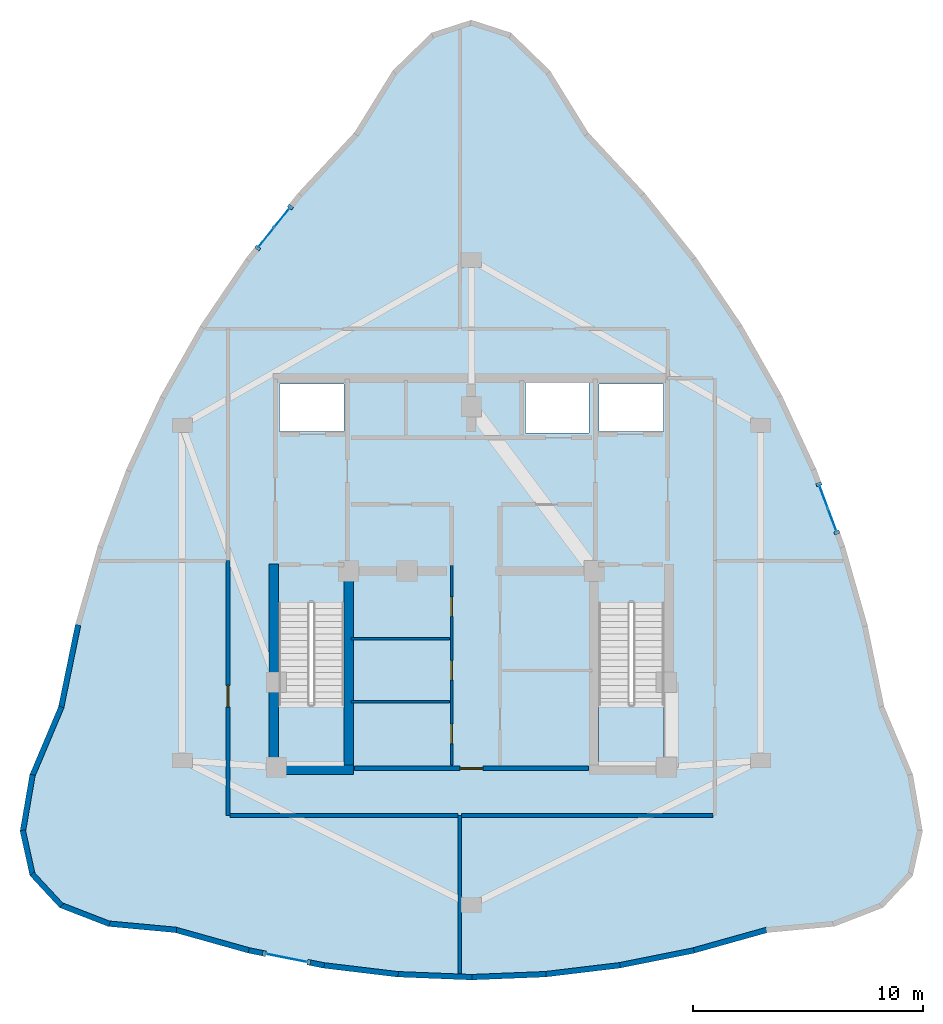
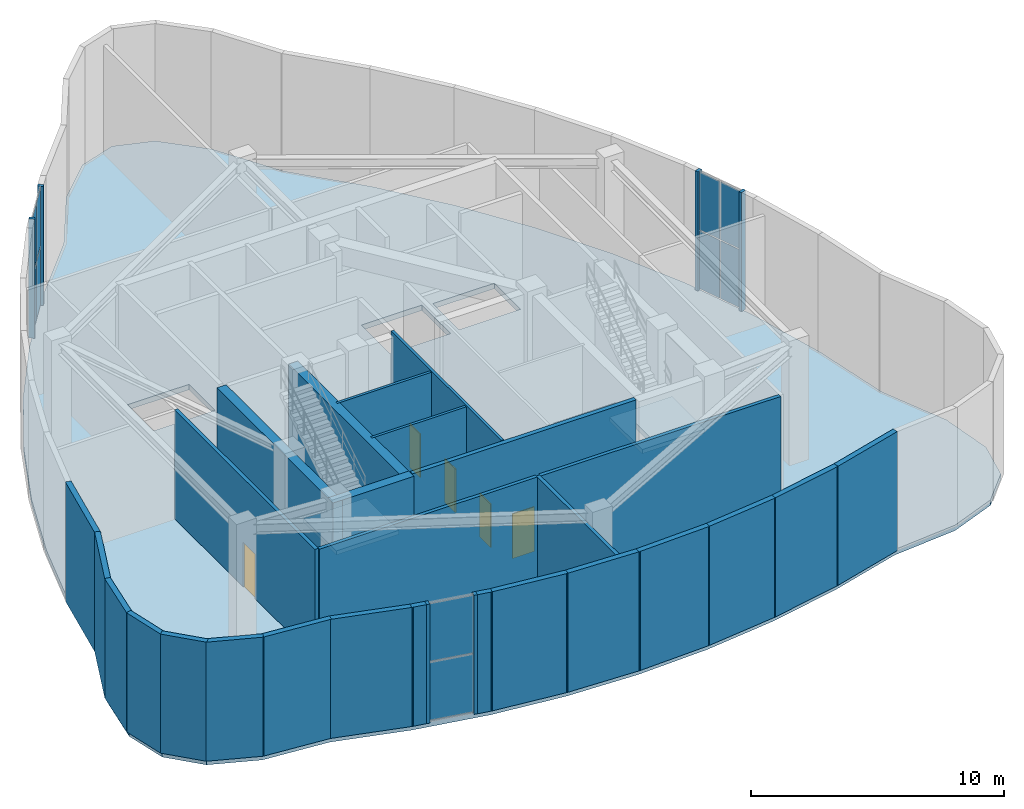
# One storey, part 8 of 11: 27 walls, 16 plates, 5 doors, 3 slabs, 5 openings, 5 elements without a shape of their own.
"""IFC4 building model written with IfcOpenShell, lengths in metres."""

from ifc_helpers import new_model, si_unit, direction, frame, frame_2d, origin, origin_2d, place, context, subcontext, project, spatial, polyline, rectangle, outline, extrude, material, layer, layer_set, type_object, element, fill, aggregate, save


model = new_model("IFC4")

# Units and contexts
model_context = context("Model", 3, precision=1e-05, world=origin(), true_north=direction((0.0, 1.0)))
body_context = subcontext(model_context, "Body", "Model", "MODEL_VIEW")
ifc_project = project(units=[si_unit("LENGTHUNIT", "METRE"), si_unit("AREAUNIT", "SQUARE_METRE"), si_unit("VOLUMEUNIT", "CUBIC_METRE"), si_unit("PLANEANGLEUNIT", "RADIAN"), si_unit("MASSUNIT", "GRAM", prefix="KILO")], contexts=[model_context])

# Site, building, storey
site_placement = place(None, origin())
site = spatial("IfcSite", under=ifc_project, at=site_placement, CompositionType="ELEMENT")
building_placement = place(site_placement, origin())
building = spatial("IfcBuilding", under=site, at=building_placement, Name="Miruveldt Soraemaru", CompositionType="ELEMENT")
storey_placement = place(building_placement, frame((0.0, 0.0, 300.800048828125)))
storey = spatial("IfcBuildingStorey", under=building, at=storey_placement, Name="L80", CompositionType="ELEMENT", Elevation=300.800048828125)

# Curtain wall, plates
ifc_material_1 = material(Name="Anodised aluminium EN AW-6063 T6", Category="aluminium")
ifc_layer_1 = layer(ifc_material_1, 0.14990234375, Name="Anodised aluminium EN AW-6063 T6", Category="aluminium")
ifc_layer_set_1 = layer_set([ifc_layer_1], Name="Anodised aluminium EN AW-6063 T6")
curtain_wall_type = type_object("IfcCurtainWallType", Name="CW-SYS-6", PredefinedType="USERDEFINED", material=ifc_layer_set_1)
curtain_wall_1_placement = place(storey_placement, origin())
curtain_wall_1 = element("IfcCurtainWall", 1, at=curtain_wall_1_placement, inside=storey, type_object=curtain_wall_type, Name="L80 Curtain Wall Bay 8", ObjectType="UNITISED GLAZING", PredefinedType="USERDEFINED")
ifc_material_2 = material(Name="Triple low-e insulated glazing", Category="glass")
ifc_layer_2 = layer(ifc_material_2, 0.02392578125, Name="Triple low-e insulated glazing", Category="glass")
ifc_layer_set_2 = layer_set([ifc_layer_2], Name="Triple low-e insulated glazing")
plate_type_1 = type_object("IfcPlateType", Name="CWP-6", PredefinedType="CURTAIN_PANEL", material=ifc_layer_set_2)
plate_1_placement = place(storey_placement, frame((35.75439453125, 59.447998046875, 0.054931640625), z_axis=(0.0, 0.0, 1.0), x_axis=(-0.623626616956, -0.781722356482, 0.0)))
plate_1 = element("IfcPlate", 2, at=plate_1_placement, type_object=plate_type_1, Name="CW-6 panel 1.1", PredefinedType="CURTAIN_PANEL", context=body_context, shape_type="SweptSolid", body=[
    extrude(rectangle(XDim=1.0595703125, YDim=0.02392578125, at=origin_2d()), origin(), (0.0, 0.0, 1.0), 2.78759765625),
])
plate_2_placement = place(storey_placement, frame((35.75439453125, 59.447998046875, 2.8974609375), z_axis=(0.0, 0.0, 1.0), x_axis=(-0.623626616956, -0.781722356482, 0.0)))
plate_2 = element("IfcPlate", 3, at=plate_2_placement, type_object=plate_type_1, Name="CW-6 panel 1.2", PredefinedType="CURTAIN_PANEL", context=body_context, shape_type="SweptSolid", body=[
    extrude(rectangle(XDim=1.0595703125, YDim=0.02392578125, at=origin_2d()), origin(), (0.0, 0.0, 1.0), 2.78759765625),
])
plate_3_placement = place(storey_placement, frame((35.059326171875, 58.576904296875, 0.054931640625), z_axis=(0.0, 0.0, 1.0), x_axis=(-0.623626616956, -0.781722356482, 0.0)))
plate_3 = element("IfcPlate", 4, at=plate_3_placement, type_object=plate_type_1, Name="CW-6 panel 2.1", PredefinedType="CURTAIN_PANEL", context=body_context, shape_type="SweptSolid", body=[
    extrude(rectangle(XDim=1.0595703125, YDim=0.02392578125, at=origin_2d()), origin(), (0.0, 0.0, 1.0), 2.78759765625),
])
plate_4_placement = place(storey_placement, frame((35.059326171875, 58.576904296875, 2.8974609375), z_axis=(0.0, 0.0, 1.0), x_axis=(-0.623626616956, -0.781722356482, 0.0)))
plate_4 = element("IfcPlate", 5, at=plate_4_placement, type_object=plate_type_1, Name="CW-6 panel 2.2", PredefinedType="CURTAIN_PANEL", context=body_context, shape_type="SweptSolid", body=[
    extrude(rectangle(XDim=1.0595703125, YDim=0.02392578125, at=origin_2d()), origin(), (0.0, 0.0, 1.0), 2.78759765625),
])
aggregate(curtain_wall_1, [plate_1, plate_2, plate_3, plate_4])

curtain_wall_2_placement = place(storey_placement, origin())
curtain_wall_2 = element("IfcCurtainWall", 6, at=curtain_wall_2_placement, inside=storey, type_object=curtain_wall_type, Name="L80 Curtain Wall Bay 22", ObjectType="UNITISED GLAZING", PredefinedType="USERDEFINED")
plate_5_placement = place(storey_placement, frame((35.949462890625, 27.1923828125, 0.054931640625), z_axis=(0.0, 0.0, 1.0), x_axis=(0.98059036738, -0.196067670467, 0.0)))
plate_5 = element("IfcPlate", 7, at=plate_5_placement, type_object=plate_type_1, Name="CW-6 panel 1.1", PredefinedType="CURTAIN_PANEL", context=body_context, shape_type="SweptSolid", body=[
    extrude(rectangle(XDim=1.8740234375, YDim=0.02392578125, at=origin_2d()), origin(), (0.0, 0.0, 1.0), 2.78759765625),
])
plate_6_placement = place(storey_placement, frame((35.949462890625, 27.1923828125, 2.8974609375), z_axis=(0.0, 0.0, 1.0), x_axis=(0.98059036738, -0.196067670467, 0.0)))
plate_6 = element("IfcPlate", 8, at=plate_6_placement, type_object=plate_type_1, Name="CW-6 panel 1.2", PredefinedType="CURTAIN_PANEL", context=body_context, shape_type="SweptSolid", body=[
    extrude(rectangle(XDim=1.8740234375, YDim=0.02392578125, at=origin_2d()), origin(), (0.0, 0.0, 1.0), 2.78759765625),
])
aggregate(curtain_wall_2, [plate_5, plate_6])

curtain_wall_3_placement = place(storey_placement, origin())
curtain_wall_3 = element("IfcCurtainWall", 9, at=curtain_wall_3_placement, inside=storey, type_object=curtain_wall_type, Name="L80 Curtain Wall Bay 37", ObjectType="UNITISED GLAZING", PredefinedType="USERDEFINED")
plate_7_placement = place(storey_placement, frame((59.72412109375, 46.264404296875, 0.054931640625), z_axis=(0.0, 0.0, 1.0), x_axis=(-0.348998282518, 0.937123363704, 0.0)))
plate_7 = element("IfcPlate", 10, at=plate_7_placement, type_object=plate_type_1, Name="CW-6 panel 1.1", PredefinedType="CURTAIN_PANEL", context=body_context, shape_type="SweptSolid", body=[
    extrude(rectangle(XDim=1.037109375, YDim=0.02392578125, at=origin_2d()), origin(), (0.0, 0.0, 1.0), 2.78759765625),
])
plate_8_placement = place(storey_placement, frame((59.72412109375, 46.264404296875, 2.8974609375), z_axis=(0.0, 0.0, 1.0), x_axis=(-0.348998282518, 0.937123363704, 0.0)))
plate_8 = element("IfcPlate", 11, at=plate_8_placement, type_object=plate_type_1, Name="CW-6 panel 1.2", PredefinedType="CURTAIN_PANEL", context=body_context, shape_type="SweptSolid", body=[
    extrude(rectangle(XDim=1.037109375, YDim=0.02392578125, at=origin_2d()), origin(), (0.0, 0.0, 1.0), 2.78759765625),
])
plate_9_placement = place(storey_placement, frame((59.343017578125, 47.287841796875, 0.054931640625), z_axis=(0.0, 0.0, 1.0), x_axis=(-0.348998282518, 0.937123363704, 0.0)))
plate_9 = element("IfcPlate", 12, at=plate_9_placement, type_object=plate_type_1, Name="CW-6 panel 2.1", PredefinedType="CURTAIN_PANEL", context=body_context, shape_type="SweptSolid", body=[
    extrude(rectangle(XDim=1.037109375, YDim=0.02392578125, at=origin_2d()), origin(), (0.0, 0.0, 1.0), 2.78759765625),
])
plate_10_placement = place(storey_placement, frame((59.343017578125, 47.287841796875, 2.8974609375), z_axis=(0.0, 0.0, 1.0), x_axis=(-0.348998282518, 0.937123363704, 0.0)))
plate_10 = element("IfcPlate", 13, at=plate_10_placement, type_object=plate_type_1, Name="CW-6 panel 2.2", PredefinedType="CURTAIN_PANEL", context=body_context, shape_type="SweptSolid", body=[
    extrude(rectangle(XDim=1.037109375, YDim=0.02392578125, at=origin_2d()), origin(), (0.0, 0.0, 1.0), 2.78759765625),
])
aggregate(curtain_wall_3, [plate_7, plate_8, plate_9, plate_10])

# Plates
ifc_layer_3 = layer(ifc_material_1, 0.030029296875, Name="Anodised aluminium EN AW-6063 T6", Category="aluminium")
ifc_layer_set_3 = layer_set([ifc_layer_3], Name="Anodised aluminium EN AW-6063 T6")
plate_type_2 = type_object("IfcPlateType", Name="PLT-JAMB-30", PredefinedType="SHEET", material=ifc_layer_set_3)
for number, where, z_axis, x_axis, name in (
    (14, (36.118896484375, 59.9052734375, 0.0), (0.0, 0.0, 1.0), (-0.623606756598, -0.781738199863, 0.0), "L80 Curtain Wall Jamb Closure Trim 8JL"),
    (15, (34.694580078125, 58.11962890625, 0.0), (0.0, 0.0, 1.0), (-0.623606756598, -0.781738199863, 0.0), "L80 Curtain Wall Jamb Closure Trim 8JR"),
    (16, (34.9765625, 27.38671875, 0.0), (0.0, 0.0, 1.0), (0.980583867301, -0.196100176415, 0.0), "L80 Curtain Wall Jamb Closure Trim 22JL"),
    (17, (36.922119140625, 26.997802734375, 0.0), (0.0, 0.0, 1.0), (0.980583867301, -0.196100176415, 0.0), "L80 Curtain Wall Jamb Closure Trim 22JR"),
    (18, (59.92431640625, 45.72705078125, 0.0), (0.0, 0.0, 1.0), (-0.349030048069, 0.93711153314, 0.0), "L80 Curtain Wall Jamb Closure Trim 37JL"),
    (19, (59.142822265625, 47.8251953125, 0.0), (0.0, 0.0, 1.0), (-0.349030048069, 0.93711153314, 0.0), "L80 Curtain Wall Jamb Closure Trim 37JR"),
):
    element("IfcPlate", number, at=place(storey_placement, frame(where, z_axis=z_axis, x_axis=x_axis)), inside=storey, type_object=plate_type_2, Name=name, PredefinedType="SHEET", context=body_context, shape_type="SweptSolid", body=[
        extrude(rectangle(XDim=0.139892578125, YDim=0.239990234375, at=origin_2d()), origin(), (0.0, 0.0, 1.0), 5.739990234375),
    ])

# Slab
ifc_material_3 = material(Name="Concrete C40/50 (40 MPa)", Category="concrete")
ifc_layer_4 = layer(ifc_material_3, 0.260009765625, Name="Concrete C40/50 (40 MPa)", Category="concrete")
ifc_layer_set_4 = layer_set([ifc_layer_4], Name="Concrete C40/50 (40 MPa)")
slab_type_1 = type_object("IfcSlabType", Name="SLAB-CRWN-260", PredefinedType="FLOOR", material=ifc_layer_set_4)
slab_1_placement = place(storey_placement, frame((0.0, 0.0, -0.260009765625)))
element("IfcSlab", 20, at=slab_1_placement, inside=storey, type_object=slab_type_1, Name="L80 Structural Floor Slab", PredefinedType="FLOOR", context=body_context, shape_type="SweptSolid", body=[
    extrude(outline(polyline([(51.4755859375, 60.413330078125), (53.71044921875, 57.61181640625), (55.695556640625, 54.681640625), (57.4306640625, 51.62255859375), (58.915771484375, 48.4345703125), (60.151123046875, 45.117919921875), (61.136474609375, 41.67236328125), (61.8720703125, 38.097900390625), (63.119873046875, 35.1396484375), (63.53564453125, 32.718994140625), (63.119873046875, 30.83642578125), (61.8720703125, 29.49169921875), (59.79248046875, 28.684814453125), (56.881103515625, 28.416015625), (53.660888671875, 27.514404296875), (50.4404296875, 26.870361328125), (47.22021484375, 26.48388671875), (44.0, 26.35498046875), (40.77978515625, 26.48388671875), (37.5595703125, 26.870361328125), (34.339111328125, 27.514404296875), (31.118896484375, 28.416015625), (28.20751953125, 28.684814453125), (26.1279296875, 29.49169921875), (24.880126953125, 30.83642578125), (24.46435546875, 32.718994140625), (24.880126953125, 35.1396484375), (26.1279296875, 38.097900390625), (26.863525390625, 41.67236328125), (27.848876953125, 45.117919921875), (29.084228515625, 48.4345703125), (30.5693359375, 51.62255859375), (32.304443359375, 54.681640625), (34.28955078125, 57.61181640625), (36.5244140625, 60.413330078125), (39.009033203125, 63.0859375), (40.672607421875, 65.775390625), (42.336181640625, 67.38916015625), (44.0, 67.927001953125), (45.663818359375, 67.38916015625), (47.327392578125, 65.775390625), (48.990966796875, 63.0859375), (51.4755859375, 60.413330078125)]), holes=[polyline([(38.43505859375, 35.6650390625), (38.43505859375, 42.68505859375), (35.614990234375, 42.68505859375), (35.614990234375, 35.6650390625), (38.43505859375, 35.6650390625)]), polyline([(52.385009765625, 35.6650390625), (52.385009765625, 42.68505859375), (49.56494140625, 42.68505859375), (49.56494140625, 35.6650390625), (52.385009765625, 35.6650390625)]), polyline([(38.445068359375, 52.205078125), (35.635009765625, 52.205078125), (35.635009765625, 50.135009765625), (38.445068359375, 50.135009765625), (38.445068359375, 52.205078125)]), polyline([(52.364990234375, 50.135009765625), (52.364990234375, 52.205078125), (49.554931640625, 52.205078125), (49.554931640625, 50.135009765625), (52.364990234375, 50.135009765625)]), polyline([(49.135009765625, 50.06494140625), (49.135009765625, 52.3349609375), (46.364990234375, 52.3349609375), (46.364990234375, 50.06494140625), (49.135009765625, 50.06494140625)])]), origin(), (0.0, 0.0, 1.0), 0.260009765625),
])

# Stair, slab
stair_type = type_object("IfcStairType", Name="STAIR-DL-600", PredefinedType="HALF_TURN_STAIR", material=ifc_material_3)
stair_1_placement = place(storey_placement, origin())
stair_1 = element("IfcStair", 21, at=stair_1_placement, inside=storey, type_object=stair_type, Name="L80 Protected Exit Stair ST-1", PredefinedType="HALF_TURN_STAIR")
ifc_layer_5 = layer(ifc_material_3, 0.199951171875, Name="Concrete C40/50 (40 MPa)", Category="concrete")
ifc_layer_set_5 = layer_set([ifc_layer_5], Name="Concrete C40/50 (40 MPa)")
slab_type_2 = type_object("IfcSlabType", Name="SLAB-LAND-200", PredefinedType="LANDING", material=ifc_layer_set_5)
slab_2_placement = place(storey_placement, frame((0.0, 0.0, 2.800048828125)))
slab_2 = element("IfcSlab", 22, at=slab_2_placement, type_object=slab_type_2, Name="ST-1 landing 1", PredefinedType="LANDING", context=body_context, shape_type="SweptSolid", body=[
    extrude(outline(polyline([(35.60009765625, 38.238037109375), (35.60009765625, 35.64990234375), (38.449951171875, 35.64990234375), (38.449951171875, 38.238037109375), (35.60009765625, 38.238037109375)])), origin(), (0.0, 0.0, 1.0), 0.199951171875),
])
aggregate(stair_1, [slab_2])

stair_2_placement = place(storey_placement, origin())
stair_2 = element("IfcStair", 23, at=stair_2_placement, inside=storey, type_object=stair_type, Name="L80 Protected Exit Stair ST-2", PredefinedType="HALF_TURN_STAIR")
slab_3_placement = place(storey_placement, frame((0.0, 0.0, 2.800048828125)))
slab_3 = element("IfcSlab", 24, at=slab_3_placement, type_object=slab_type_2, Name="ST-2 landing 1", PredefinedType="LANDING", context=body_context, shape_type="SweptSolid", body=[
    extrude(outline(polyline([(49.550048828125, 38.238037109375), (49.550048828125, 35.64990234375), (52.39990234375, 35.64990234375), (52.39990234375, 38.238037109375), (49.550048828125, 38.238037109375)])), origin(), (0.0, 0.0, 1.0), 0.199951171875),
])
aggregate(stair_2, [slab_3])

# Walls
ifc_material_4 = material(Name="Concrete C50/60 (50 MPa)", Category="concrete")
ifc_layer_6 = layer(ifc_material_4, 0.419921875, Name="Concrete C50/60 (50 MPa)", Category="concrete")
ifc_layer_set_6 = layer_set([ifc_layer_6], Name="Concrete C50/60 (50 MPa)")
wall_type_1 = type_object("IfcWallType", Name="WALL-CW-420", PredefinedType="SHEAR", material=ifc_layer_set_6)
wall_1_placement = place(storey_placement, frame((35.179931640625, 35.389892578125, 0.0), z_axis=(0.0, 0.0, 1.0), x_axis=(1.0, 0.0, 0.0)))
element("IfcWall", 25, at=wall_1_placement, inside=storey, type_object=wall_type_1, Name="L80 Central Core Shear Wall S1", PredefinedType="SHEAR", context=body_context, shape_type="SweptSolid", body=[
    extrude(rectangle(XDim=3.690185546875, YDim=0.419921875, at=frame_2d((1.84521484375, 0.0))), origin(), (0.0, 0.0, 1.0), 5.739990234375),
])
wall_2_placement = place(storey_placement, frame((35.389892578125, 35.179931640625, 0.0), z_axis=(0.0, 0.0, 1.0), x_axis=(0.0, 1.0, 0.0)))
element("IfcWall", 26, at=wall_2_placement, inside=storey, type_object=wall_type_1, Name="L80 Central Core Shear Wall W1", PredefinedType="SHEAR", context=body_context, shape_type="SweptSolid", body=[
    extrude(rectangle(XDim=9.170166015625, YDim=0.419921875, at=frame_2d((4.5849609375, 0.0))), origin(), (0.0, 0.0, 1.0), 5.739990234375),
])
wall_3_placement = place(storey_placement, frame((38.659912109375, 35.39990234375, 0.0), z_axis=(0.0, 0.0, 1.0), x_axis=(0.0, 1.0, 0.0)))
element("IfcWall", 27, at=wall_3_placement, inside=storey, type_object=wall_type_1, Name="L80 Central Core Shear Wall SW-INT", PredefinedType="SHEAR", context=body_context, shape_type="SweptSolid", body=[
    extrude(rectangle(XDim=8.9501953125, YDim=0.419921875, at=frame_2d((4.47509765625, 0.0))), origin(), (0.0, 0.0, 1.0), 5.739990234375),
])
ifc_material_5 = material(Name="Precast concrete C45/55 (45 MPa)", Category="concrete")
ifc_layer_7 = layer(ifc_material_5, 0.239990234375, Name="Precast concrete C45/55 (45 MPa)", Category="concrete")
ifc_layer_set_7 = layer_set([ifc_layer_7], Name="Precast concrete C45/55 (45 MPa)")
wall_type_2 = type_object("IfcWallType", Name="WALL-EXT-PC240", PredefinedType="SOLIDWALL", material=ifc_layer_set_7)
wall_4_placement = place(storey_placement, frame((26.87060546875, 41.706787109375, 0.0), z_axis=(0.0, 0.0, 1.0), x_axis=(-0.201578837363, -0.979472292782, 0.0)))
element("IfcWall", 28, at=wall_4_placement, inside=storey, type_object=wall_type_2, Name="L80 Precast Concrete Facade Wall 14", PredefinedType="SOLIDWALL", context=body_context, shape_type="SweptSolid", body=[
    extrude(rectangle(XDim=3.719482421875, YDim=0.239990234375, at=frame_2d((1.85986328125, 0.0))), origin(), (0.0, 0.0, 1.0), 5.739990234375),
])
wall_5_placement = place(storey_placement, frame((26.1416015625, 38.130126953125, 0.0), z_axis=(0.0, 0.0, 1.0), x_axis=(-0.388622520849, -0.921397056805, 0.0)))
element("IfcWall", 29, at=wall_5_placement, inside=storey, type_object=wall_type_2, Name="L80 Precast Concrete Facade Wall 15", PredefinedType="SOLIDWALL", context=body_context, shape_type="SweptSolid", body=[
    extrude(rectangle(XDim=3.280517578125, YDim=0.239990234375, at=frame_2d((1.64013671875, 0.0))), origin(), (0.0, 0.0, 1.0), 5.739990234375),
])
wall_6_placement = place(storey_placement, frame((24.885986328125, 35.174072265625, 0.0), z_axis=(0.0, 0.0, 1.0), x_axis=(-0.169240125324, -0.985574847477, 0.0)))
element("IfcWall", 30, at=wall_6_placement, inside=storey, type_object=wall_type_2, Name="L80 Precast Concrete Facade Wall 16", PredefinedType="SOLIDWALL", context=body_context, shape_type="SweptSolid", body=[
    extrude(rectangle(XDim=2.52587890625, YDim=0.239990234375, at=frame_2d((1.262939453125, 0.0))), origin(), (0.0, 0.0, 1.0), 5.739990234375),
])
wall_7_placement = place(storey_placement, frame((24.456787109375, 32.75341796875, 0.0), z_axis=(0.0, 0.0, 1.0), x_axis=(0.215649526387, -0.976470829963, 0.0)))
element("IfcWall", 31, at=wall_7_placement, inside=storey, type_object=wall_type_2, Name="L80 Precast Concrete Facade Wall 17", PredefinedType="SOLIDWALL", context=body_context, shape_type="SweptSolid", body=[
    extrude(rectangle(XDim=1.998291015625, YDim=0.239990234375, at=frame_2d((0.9990234375, 0.0))), origin(), (0.0, 0.0, 1.0), 5.739990234375),
])
wall_8_placement = place(storey_placement, frame((24.8564453125, 30.8623046875, 0.0), z_axis=(0.0, 0.0, 1.0), x_axis=(0.680072395428, -0.733144963139, 0.0)))
element("IfcWall", 32, at=wall_8_placement, inside=storey, type_object=wall_type_2, Name="L80 Precast Concrete Facade Wall 18", PredefinedType="SOLIDWALL", context=body_context, shape_type="SweptSolid", body=[
    extrude(rectangle(XDim=1.904541015625, YDim=0.239990234375, at=frame_2d((0.9521484375, 0.0))), origin(), (0.0, 0.0, 1.0), 5.739990234375),
])
wall_9_placement = place(storey_placement, frame((26.09521484375, 29.50439453125, 0.0), z_axis=(0.0, 0.0, 1.0), x_axis=(0.932269297358, -0.361765058019, 0.0)))
element("IfcWall", 33, at=wall_9_placement, inside=storey, type_object=wall_type_2, Name="L80 Precast Concrete Facade Wall 19", PredefinedType="SOLIDWALL", context=body_context, shape_type="SweptSolid", body=[
    extrude(rectangle(XDim=2.300537109375, YDim=0.239990234375, at=frame_2d((1.150390625, 0.0))), origin(), (0.0, 0.0, 1.0), 5.739990234375),
])
wall_10_placement = place(storey_placement, frame((28.172607421875, 28.68798828125, 0.0), z_axis=(0.0, 0.0, 1.0), x_axis=(0.995767942029, -0.091903240575, 0.0)))
element("IfcWall", 34, at=wall_10_placement, inside=storey, type_object=wall_type_2, Name="L80 Precast Concrete Facade Wall 20", PredefinedType="SOLIDWALL", context=body_context, shape_type="SweptSolid", body=[
    extrude(rectangle(XDim=2.993896484375, YDim=0.239990234375, at=frame_2d((1.4970703125, 0.0))), origin(), (0.0, 0.0, 1.0), 5.739990234375),
])
wall_11_placement = place(storey_placement, frame((31.085205078125, 28.42529296875, 0.0), z_axis=(0.0, 0.0, 1.0), x_axis=(0.962972931592, -0.269598095359, 0.0)))
element("IfcWall", 35, at=wall_11_placement, inside=storey, type_object=wall_type_2, Name="L80 Precast Concrete Facade Wall 21", PredefinedType="SOLIDWALL", context=body_context, shape_type="SweptSolid", body=[
    extrude(rectangle(XDim=3.4140625, YDim=0.239990234375, at=frame_2d((1.70703125, 0.0))), origin(), (0.0, 0.0, 1.0), 5.739990234375),
])
wall_12_placement = place(storey_placement, frame((34.304931640625, 27.521240234375, 0.0), z_axis=(0.0, 0.0, 1.0), x_axis=(0.98052735431, -0.19638255383, 0.0)))
element("IfcWall", 36, at=wall_12_placement, inside=storey, type_object=wall_type_2, Name="L80 Precast Pier Left 22", PredefinedType="SOLIDWALL", context=body_context, shape_type="SweptSolid", body=[
    extrude(rectangle(XDim=0.704833984375, YDim=0.239990234375, at=frame_2d((0.3525390625, 0.0))), origin(), (0.0, 0.0, 1.0), 5.739990234375),
])
wall_13_placement = place(storey_placement, frame((36.90234375, 27.001708984375, 0.0), z_axis=(0.0, 0.0, 1.0), x_axis=(0.980540705023, -0.196315882679, 0.0)))
element("IfcWall", 37, at=wall_13_placement, inside=storey, type_object=wall_type_2, Name="L80 Precast Pier Right 22", PredefinedType="SOLIDWALL", context=body_context, shape_type="SweptSolid", body=[
    extrude(rectangle(XDim=0.705078125, YDim=0.239990234375, at=frame_2d((0.3525390625, 0.0))), origin(), (0.0, 0.0, 1.0), 5.739990234375),
])
wall_14_placement = place(storey_placement, frame((37.524658203125, 26.87451171875, 0.0), z_axis=(0.0, 0.0, 1.0), x_axis=(0.992868119477, -0.119217856572, 0.0)))
element("IfcWall", 38, at=wall_14_placement, inside=storey, type_object=wall_type_2, Name="L80 Precast Concrete Facade Wall 23", PredefinedType="SOLIDWALL", context=body_context, shape_type="SweptSolid", body=[
    extrude(rectangle(XDim=3.3134765625, YDim=0.239990234375, at=frame_2d((1.65673828125, 0.0))), origin(), (0.0, 0.0, 1.0), 5.739990234375),
])
for number, where, z_axis, x_axis, name in (
    (39, (40.74462890625, 26.485107421875, 0.0), (0.0, 0.0, 1.0), (0.999201195577, -0.039962116526, 0.0), "L80 Precast Concrete Facade Wall 24"),
    (40, (43.965087890625, 26.353515625, 0.0), (0.0, 0.0, 1.0), (0.999201195577, 0.039962116526, 0.0), "L80 Precast Concrete Facade Wall 25"),
):
    element("IfcWall", number, at=place(storey_placement, frame(where, z_axis=z_axis, x_axis=x_axis)), inside=storey, type_object=wall_type_2, Name=name, PredefinedType="SOLIDWALL", context=body_context, shape_type="SweptSolid", body=[
        extrude(rectangle(XDim=3.29296875, YDim=0.239990234375, at=frame_2d((1.646484375, 0.0))), origin(), (0.0, 0.0, 1.0), 5.739990234375),
    ])
wall_15_placement = place(storey_placement, frame((47.185546875, 26.4794921875, 0.0), z_axis=(0.0, 0.0, 1.0), x_axis=(0.992868119477, 0.119217856572, 0.0)))
element("IfcWall", 41, at=wall_15_placement, inside=storey, type_object=wall_type_2, Name="L80 Precast Concrete Facade Wall 26", PredefinedType="SOLIDWALL", context=body_context, shape_type="SweptSolid", body=[
    extrude(rectangle(XDim=3.3134765625, YDim=0.239990234375, at=frame_2d((1.65673828125, 0.0))), origin(), (0.0, 0.0, 1.0), 5.739990234375),
])
wall_16_placement = place(storey_placement, frame((50.40625, 26.86328125, 0.0), z_axis=(0.0, 0.0, 1.0), x_axis=(0.980569475455, 0.196172128005, 0.0)))
element("IfcWall", 42, at=wall_16_placement, inside=storey, type_object=wall_type_2, Name="L80 Precast Concrete Facade Wall 27", PredefinedType="SOLIDWALL", context=body_context, shape_type="SweptSolid", body=[
    extrude(rectangle(XDim=3.35400390625, YDim=0.239990234375, at=frame_2d((1.677001953125, 0.0))), origin(), (0.0, 0.0, 1.0), 5.739990234375),
])
wall_17_placement = place(storey_placement, frame((53.627197265625, 27.5048828125, 0.0), z_axis=(0.0, 0.0, 1.0), x_axis=(0.962972931592, 0.269598095359, 0.0)))
element("IfcWall", 43, at=wall_17_placement, inside=storey, type_object=wall_type_2, Name="L80 Precast Concrete Facade Wall 28", PredefinedType="SOLIDWALL", context=body_context, shape_type="SweptSolid", body=[
    extrude(rectangle(XDim=3.4140625, YDim=0.239990234375, at=frame_2d((1.70703125, 0.0))), origin(), (0.0, 0.0, 1.0), 5.739990234375),
])

# Wall, openings, doors
ifc_material_6 = material(Name="Gypsum plasterboard lining", Category="gypsum")
ifc_layer_8 = layer(ifc_material_6, 0.1201171875, Name="Gypsum plasterboard lining", Category="gypsum")
ifc_layer_set_8 = layer_set([ifc_layer_8], Name="Gypsum plasterboard lining")
wall_type_3 = type_object("IfcWallType", Name="WALL-INT-P120", PredefinedType="PARTITIONING", material=ifc_layer_set_8)
wall_18_placement = place(storey_placement, frame((43.14990234375, 35.60009765625, 0.0), z_axis=(0.0, 0.0, 1.0), x_axis=(0.0, 1.0, 0.0)))
wall_18 = element("IfcWall", 44, at=wall_18_placement, inside=storey, type_object=wall_type_3, Name="L80 Core Compartment Wall SP-WL", PredefinedType="PARTITIONING", context=body_context, shape_type="SweptSolid", body=[
    extrude(rectangle(XDim=8.699951171875, YDim=0.1201171875, at=frame_2d((4.35009765625, 0.0))), origin(), (0.0, 0.0, 1.0), 5.739990234375),
])
opening_1_placement = place(wall_18_placement, frame((0.925048828125, 0.0, 0.0)))
opening_1 = element("IfcOpeningElement", 45, at=opening_1_placement, cuts=wall_18, Name="Opening FD3", PredefinedType="OPENING", context=body_context, shape_type="SweptSolid", body=[
    extrude(rectangle(XDim=0.85009765625, YDim=2.10009765625, at=frame_2d((0.425048828125, 1.050048828125))), frame((0.0, 0.070068359375, 0.0), z_axis=(0.0, -1.0, 0.0), x_axis=(1.0, 0.0, 0.0)), (0.0, 0.0, 1.0), 0.14013671875),
])
opening_2_placement = place(wall_18_placement, frame((3.695068359375, 0.0, 0.0)))
opening_2 = element("IfcOpeningElement", 46, at=opening_2_placement, cuts=wall_18, Name="Opening FD3", PredefinedType="OPENING", context=body_context, shape_type="SweptSolid", body=[
    extrude(rectangle(XDim=0.85009765625, YDim=2.10009765625, at=frame_2d((0.425048828125, 1.050048828125))), frame((0.0, 0.070068359375, 0.0), z_axis=(0.0, -1.0, 0.0), x_axis=(1.0, 0.0, 0.0)), (0.0, 0.0, 1.0), 0.14013671875),
])
opening_3_placement = place(wall_18_placement, frame((6.47509765625, 0.0, 0.0)))
opening_3 = element("IfcOpeningElement", 47, at=opening_3_placement, cuts=wall_18, Name="Opening FD3", PredefinedType="OPENING", context=body_context, shape_type="SweptSolid", body=[
    extrude(rectangle(XDim=0.85009765625, YDim=2.10009765625, at=frame_2d((0.425048828125, 1.050048828125))), frame((0.0, 0.070068359375, 0.0), z_axis=(0.0, -1.0, 0.0), x_axis=(1.0, 0.0, 0.0)), (0.0, 0.0, 1.0), 0.14013671875),
])
door_type_1 = type_object("IfcDoorType", Name="DOOR-FD3-850", OperationType="NOTDEFINED", PredefinedType="DOOR", material=ifc_material_1)
door_1_placement = place(opening_1_placement, origin())
door_1 = element("IfcDoor", 48, at=door_1_placement, inside=storey, type_object=door_type_1, Name="L80 Fire Door", OperationType="SINGLE_SWING_LEFT", OverallHeight=2.10009765625, OverallWidth=0.85009765625, PredefinedType="DOOR", context=body_context, shape_type="SweptSolid", body=[
    extrude(rectangle(XDim=0.85009765625, YDim=2.10009765625, at=frame_2d((0.425048828125, 1.050048828125))), frame((0.0, 0.02490234375, 0.0), z_axis=(0.0, -1.0, 0.0), x_axis=(1.0, 0.0, 0.0)), (0.0, 0.0, 1.0), 0.050048828125),
])
fill(opening_1, door_1)
door_2_placement = place(opening_2_placement, origin())
door_2 = element("IfcDoor", 49, at=door_2_placement, inside=storey, type_object=door_type_1, Name="L80 Fire Door", OperationType="SINGLE_SWING_LEFT", OverallHeight=2.10009765625, OverallWidth=0.85009765625, PredefinedType="DOOR", context=body_context, shape_type="SweptSolid", body=[
    extrude(rectangle(XDim=0.85009765625, YDim=2.10009765625, at=frame_2d((0.425048828125, 1.050048828125))), frame((0.0, 0.02490234375, 0.0), z_axis=(0.0, -1.0, 0.0), x_axis=(1.0, 0.0, 0.0)), (0.0, 0.0, 1.0), 0.050048828125),
])
fill(opening_2, door_2)
door_3_placement = place(opening_3_placement, origin())
door_3 = element("IfcDoor", 50, at=door_3_placement, inside=storey, type_object=door_type_1, Name="L80 Fire Door", OperationType="SINGLE_SWING_LEFT", OverallHeight=2.10009765625, OverallWidth=0.85009765625, PredefinedType="DOOR", context=body_context, shape_type="SweptSolid", body=[
    extrude(rectangle(XDim=0.85009765625, YDim=2.10009765625, at=frame_2d((0.425048828125, 1.050048828125))), frame((0.0, 0.02490234375, 0.0), z_axis=(0.0, -1.0, 0.0), x_axis=(1.0, 0.0, 0.0)), (0.0, 0.0, 1.0), 0.050048828125),
])
fill(opening_3, door_3)

# Walls
for number, where, z_axis, x_axis, name in (
    (51, (38.75, 38.35009765625, 0.0), (0.0, 0.0, 1.0), (1.0, 0.0, 0.0), "L80 Core Compartment Wall RL-W3A"),
    (52, (38.75, 41.10009765625, 0.0), (0.0, 0.0, 1.0), (1.0, 0.0, 0.0), "L80 Core Compartment Wall RL-W3B"),
):
    element("IfcWall", number, at=place(storey_placement, frame(where, z_axis=z_axis, x_axis=x_axis)), inside=storey, type_object=wall_type_3, Name=name, PredefinedType="PARTITIONING", context=body_context, shape_type="SweptSolid", body=[
        extrude(rectangle(XDim=4.300048828125, YDim=0.1201171875, at=frame_2d((2.14990234375, 0.0))), origin(), (0.0, 0.0, 1.0), 5.739990234375),
    ])

# Wall, opening, door
ifc_layer_9 = layer(ifc_material_3, 0.159912109375, Name="Concrete C40/50 (40 MPa)", Category="concrete")
ifc_layer_set_9 = layer_set([ifc_layer_9], Name="Concrete C40/50 (40 MPa)")
wall_type_4 = type_object("IfcWallType", Name="WALL-INT-RC160", PredefinedType="SOLIDWALL", material=ifc_layer_set_9)
wall_19_placement = place(storey_placement, frame((33.39990234375, 44.5, 0.0), z_axis=(0.0, 0.0, 1.0), x_axis=(0.0, -1.0, 0.0)))
wall_19 = element("IfcWall", 53, at=wall_19_placement, inside=storey, type_object=wall_type_4, Name="L80 Partition Wall 1", PredefinedType="SOLIDWALL", context=body_context, shape_type="SweptSolid", body=[
    extrude(rectangle(XDim=11.10009765625, YDim=0.159912109375, at=frame_2d((5.550048828125, 0.0))), origin(), (0.0, 0.0, 1.0), 5.239990234375),
])
opening_4_placement = place(wall_19_placement, frame((5.43505859375, 0.0, 0.0)))
opening_4 = element("IfcOpeningElement", 54, at=opening_4_placement, cuts=wall_19, Name="Opening FD2", PredefinedType="OPENING", context=body_context, shape_type="SweptSolid", body=[
    extrude(rectangle(XDim=0.949951171875, YDim=2.14990234375, at=frame_2d((0.47509765625, 1.074951171875))), frame((0.0, 0.08984375, 0.0), z_axis=(0.0, -1.0, 0.0), x_axis=(1.0, 0.0, 0.0)), (0.0, 0.0, 1.0), 0.179931640625),
])
door_type_2 = type_object("IfcDoorType", Name="DOOR-FD2-950", OperationType="NOTDEFINED", PredefinedType="DOOR", material=ifc_material_1)
door_4_placement = place(opening_4_placement, origin())
door_4 = element("IfcDoor", 55, at=door_4_placement, inside=storey, type_object=door_type_2, Name="L80 L80 Crown Chiller Plant Room Fire Door", OperationType="SINGLE_SWING_RIGHT", OverallHeight=2.14990234375, OverallWidth=0.949951171875, PredefinedType="DOOR", context=body_context, shape_type="SweptSolid", body=[
    extrude(rectangle(XDim=0.949951171875, YDim=2.14990234375, at=frame_2d((0.47509765625, 1.074951171875))), frame((0.0, 0.02490234375, 0.0), z_axis=(0.0, -1.0, 0.0), x_axis=(1.0, 0.0, 0.0)), (0.0, 0.0, 1.0), 0.050048828125),
])
fill(opening_4, door_4)

# Walls
wall_20_placement = place(storey_placement, frame((43.580078125, 33.39990234375, 0.0), z_axis=(0.0, 0.0, 1.0), x_axis=(1.0, 0.0, 0.0)))
element("IfcWall", 56, at=wall_20_placement, inside=storey, type_object=wall_type_4, Name="L80 Partition Wall 3", PredefinedType="SOLIDWALL", context=body_context, shape_type="SweptSolid", body=[
    extrude(rectangle(XDim=10.93994140625, YDim=0.159912109375, at=frame_2d((5.469970703125, 0.0))), origin(), (0.0, 0.0, 1.0), 5.239990234375),
])
wall_21_placement = place(storey_placement, frame((33.47998046875, 33.39990234375, 0.0), z_axis=(0.0, 0.0, 1.0), x_axis=(1.0, 0.0, 0.0)))
element("IfcWall", 57, at=wall_21_placement, inside=storey, type_object=wall_type_4, Name="L80 Partition Wall 2", PredefinedType="SOLIDWALL", context=body_context, shape_type="SweptSolid", body=[
    extrude(rectangle(XDim=9.93994140625, YDim=0.159912109375, at=frame_2d((4.969970703125, 0.0))), origin(), (0.0, 0.0, 1.0), 5.239990234375),
])
wall_22_placement = place(storey_placement, frame((43.501953125, 26.510009765625, 0.0), z_axis=(0.0, 0.0, 1.0), x_axis=(-0.000283476832, 0.99999995982, 0.0)))
element("IfcWall", 58, at=wall_22_placement, inside=storey, type_object=wall_type_4, Name="L80 Partition Wall 11", PredefinedType="SOLIDWALL", context=body_context, shape_type="SweptSolid", body=[
    extrude(rectangle(XDim=6.889892578125, YDim=0.159912109375, at=frame_2d((3.44482421875, 0.0))), origin(), (0.0, 0.0, 1.0), 5.239990234375),
])

# Wall, opening, door
ifc_layer_10 = layer(ifc_material_3, 0.199951171875, Name="Concrete C40/50 (40 MPa)", Category="concrete")
ifc_layer_set_10 = layer_set([ifc_layer_10], Name="Concrete C40/50 (40 MPa)")
wall_type_5 = type_object("IfcWallType", Name="WALL-INT-RC200", PredefinedType="SOLIDWALL", material=ifc_layer_set_10)
wall_23_placement = place(storey_placement, frame((38.89990234375, 35.449951171875, 0.0), z_axis=(0.0, 0.0, 1.0), x_axis=(1.0, 0.0, 0.0)))
wall_23 = element("IfcWall", 59, at=wall_23_placement, inside=storey, type_object=wall_type_5, Name="L80 Core Compartment Wall CS-S", PredefinedType="SOLIDWALL", context=body_context, shape_type="SweptSolid", body=[
    extrude(rectangle(XDim=10.2001953125, YDim=0.199951171875, at=frame_2d((5.10009765625, 0.0))), origin(), (0.0, 0.0, 1.0), 5.739990234375),
])
opening_5_placement = place(wall_23_placement, frame((4.60009765625, 0.0, 0.0)))
opening_5 = element("IfcOpeningElement", 60, at=opening_5_placement, cuts=wall_23, Name="Opening FD1", PredefinedType="OPENING", context=body_context, shape_type="SweptSolid", body=[
    extrude(rectangle(XDim=1.0, YDim=2.14990234375, at=frame_2d((0.5, 1.074951171875))), frame((0.0, 0.10986328125, 0.0), z_axis=(0.0, -1.0, 0.0), x_axis=(1.0, 0.0, 0.0)), (0.0, 0.0, 1.0), 0.219970703125),
])
door_type_3 = type_object("IfcDoorType", Name="DOOR-FD1-1000", OperationType="NOTDEFINED", PredefinedType="DOOR", material=ifc_material_1)
door_5_placement = place(opening_5_placement, origin())
door_5 = element("IfcDoor", 61, at=door_5_placement, inside=storey, type_object=door_type_3, Name="L80 Core South Lobby Fire Door", OperationType="SINGLE_SWING_LEFT", OverallHeight=2.14990234375, OverallWidth=1.0, PredefinedType="DOOR", context=body_context, shape_type="SweptSolid", body=[
    extrude(rectangle(XDim=1.0, YDim=2.14990234375, at=frame_2d((0.5, 1.074951171875))), frame((0.0, 0.02490234375, 0.0), z_axis=(0.0, -1.0, 0.0), x_axis=(1.0, 0.0, 0.0)), (0.0, 0.0, 1.0), 0.050048828125),
])
fill(opening_5, door_5)

save(model, "model.ifc")
